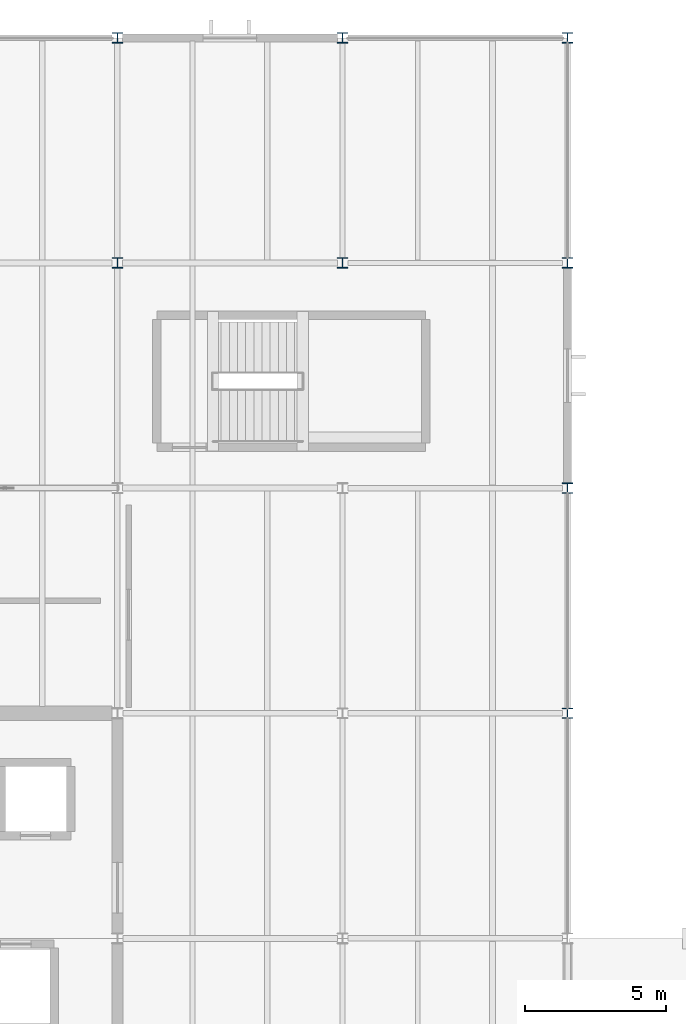
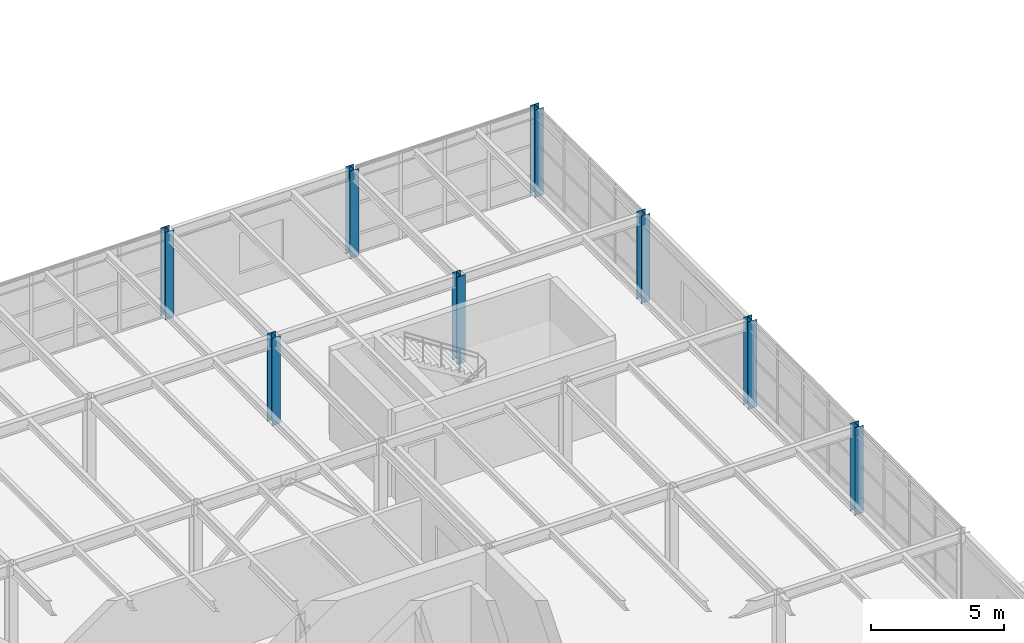
# One storey, part 4 of 50: 8 columns.
"""IFC4 building model written with IfcOpenShell, lengths in metres."""

import ifcopenshell
import ifcopenshell.guid

model = None  # the IFC model being written
_history = None  # IfcOwnerHistory: only IFC2X3 demands one
_inside = {}  # id of a spatial element -> (the spatial element, [elements in it])
_under = {}  # id of a project, library or spatial element -> (it, [spatial elements below it])
_declared = {}  # id of a project -> (the project, [libraries it declares])
_typed = {}  # id of a type object -> (the type object, [elements of that type])
_made_of = {}  # id of a material, layer set ... -> (it, [elements and type objects made of it])


def new_model(schema):
    """Start an empty IFC model of exactly this schema.

    Asked for "IFC4X3", IfcOpenShell would pick the latest addendum, in which some entities
    have other attributes; the version numbers below select the first issue.
    IFC2X3 requires an IfcOwnerHistory on every rooted entity: one is made here for all.
    """
    global model, _history
    if schema == "IFC4X3":
        model = ifcopenshell.file(schema_version=(4, 3, 0, 0))
    else:
        model = ifcopenshell.file(schema=schema)
    _inside.clear()
    _under.clear()
    _declared.clear()
    _typed.clear()
    _made_of.clear()
    _history = None
    if model.schema == "IFC2X3":
        org = make("IfcOrganization", Name="unknown")
        user = make(
            "IfcPersonAndOrganization",
            ThePerson=make("IfcPerson", FamilyName="unknown"),
            TheOrganization=org,
        )
        app = make(
            "IfcApplication",
            ApplicationDeveloper=org,
            Version="unknown",
            ApplicationFullName="unknown",
            ApplicationIdentifier="unknown",
        )
        _history = make(
            "IfcOwnerHistory",
            OwningUser=user,
            OwningApplication=app,
            ChangeAction="ADDED",
            CreationDate=0,
        )
    return model


def make(cls, **values):
    """One entity of the class cls with the attributes given. An attribute that is None is left unset."""
    return model.create_entity(
        cls, **{name: value for name, value in values.items() if value is not None}
    )


def rooted(cls, **values):
    """An entity with a GlobalId (a new one), such as an element, a storey or a relation."""
    return make(cls, GlobalId=ifcopenshell.guid.new(), OwnerHistory=_history, **values)


def si_unit(unit_type, name, prefix=None):
    """IfcSIUnit, for example si_unit("LENGTHUNIT", "METRE", prefix="MILLI")."""
    return make("IfcSIUnit", UnitType=unit_type, Prefix=prefix, Name=name)


def assignment(units):
    """IfcUnitAssignment: the units of a project."""
    return None if units is None else make("IfcUnitAssignment", Units=units)


def point(xyz):
    """IfcCartesianPoint."""
    return None if xyz is None else make("IfcCartesianPoint", Coordinates=xyz)


def direction(xyz):
    """IfcDirection."""
    return None if xyz is None else make("IfcDirection", DirectionRatios=xyz)


def frame(location, z_axis=None, x_axis=None):
    """IfcAxis2Placement3D, a coordinate frame: its origin and axes. An axis left out is left unset."""
    return make(
        "IfcAxis2Placement3D",
        Location=point(location),
        Axis=direction(z_axis),
        RefDirection=direction(x_axis),
    )


def frame_2d(location, x_axis=None):
    """IfcAxis2Placement2D, a coordinate frame in the plane: its origin and x axis."""
    return make(
        "IfcAxis2Placement2D", Location=point(location), RefDirection=direction(x_axis)
    )


def origin():
    """The frame at (0, 0, 0) with its axes left unset."""
    return frame((0.0, 0.0, 0.0))


def origin_2d():
    """The frame at (0, 0) in the plane with its x axis left unset."""
    return frame_2d((0.0, 0.0))


def place(relative_to, where):
    """IfcLocalPlacement: puts the frame where relative to a parent placement (None: the world)."""
    return make(
        "IfcLocalPlacement", PlacementRelTo=relative_to, RelativePlacement=where
    )


def context(
    kind, dimensions, precision=None, world=None, true_north=None, identifier=None
):
    """IfcGeometricRepresentationContext, for example the 3D "Model" context."""
    return make(
        "IfcGeometricRepresentationContext",
        ContextIdentifier=identifier,
        ContextType=kind,
        CoordinateSpaceDimension=dimensions,
        Precision=precision,
        WorldCoordinateSystem=world,
        TrueNorth=true_north,
    )


def subcontext(parent, identifier, kind, view, scale=None):
    """IfcGeometricRepresentationSubContext, for example "Body" below "Model"."""
    return make(
        "IfcGeometricRepresentationSubContext",
        ContextIdentifier=identifier,
        ContextType=kind,
        ParentContext=parent,
        TargetScale=scale,
        TargetView=view,
    )


def project(units=None, contexts=None):
    """IfcProject with its units and contexts."""
    return rooted(
        "IfcProject",
        Name="project",
        RepresentationContexts=contexts,
        UnitsInContext=assignment(units),
    )


def spatial(cls, under=None, at=None, **own):
    """A site, building, storey or space (cls), placed at a placement, below another one or the project."""
    s = rooted(cls, ObjectPlacement=at, **own)
    if under is not None:
        _under.setdefault(under.id(), (under, []))[1].append(s)
    return s


def profile(cls, at=None, kind="AREA", **sizes):
    """A parametric profile (cls). Its sizes go by their IFC names, for example OverallWidth=200.0."""
    return make(cls, ProfileType=kind, Position=at, **sizes)


def i_section(**sizes):
    """IfcIShapeProfileDef."""
    return profile("IfcIShapeProfileDef", **sizes)


def extrude(swept, where, along, depth):
    """IfcExtrudedAreaSolid: the profile swept, set in the frame where, extruded along a direction by depth."""
    return make(
        "IfcExtrudedAreaSolid",
        SweptArea=swept,
        Position=where,
        ExtrudedDirection=direction(along),
        Depth=depth,
    )


def shape(context_of_items, identifier, shape_type, items):
    """IfcShapeRepresentation: the items that make up one representation, for example the "Body"."""
    return make(
        "IfcShapeRepresentation",
        ContextOfItems=context_of_items,
        RepresentationIdentifier=identifier,
        RepresentationType=shape_type,
        Items=items,
    )


def material(Name=None, Category=None):
    """IfcMaterial."""
    return make("IfcMaterial", Name=Name, Category=Category)


def material_profile(
    of_material, cross_section, Name=None, Category=None, Priority=None
):
    """IfcMaterialProfile: a cross section and its material."""
    return make(
        "IfcMaterialProfile",
        Name=Name,
        Material=of_material,
        Profile=cross_section,
        Priority=Priority,
        Category=Category,
    )


def profile_set(profiles, Name=None, composite=None):
    """IfcMaterialProfileSet."""
    return make(
        "IfcMaterialProfileSet",
        Name=Name,
        MaterialProfiles=profiles,
        CompositeProfile=composite,
    )


def made_of(thing, what):
    """Note that an element or type object is made of a material, layer set ...; save() writes the relation."""
    if what is not None:
        _made_of.setdefault(what.id(), (what, []))[1].append(thing)
    return thing


def type_object(cls, material=None, **own):
    """A type object (cls), such as IfcWallType, which elements share."""
    return made_of(rooted(cls, **own), material)


def element(
    cls,
    number,
    at=None,
    inside=None,
    cuts=None,
    type_object=None,
    material=None,
    context=None,
    identifier="Body",
    shape_type=None,
    held_by="IfcProductDefinitionShape",
    body=None,
    shapes=None,
    **own,
):
    """One element of the class cls, such as IfcWall. Its Tag is "e" and its number.

    at: its placement. inside: the storey or other place that contains it. cuts: it is an
    opening in that element (IfcRelVoidsElement). A single representation is given by context,
    identifier, shape_type and body (its items); several are given by shapes. held_by: the class
    of the entity that holds the representations. save() writes the other relations.
    """
    e = rooted(cls, Tag="e%d" % number, ObjectPlacement=at, **own)
    if body is not None:
        shapes = [shape(context, identifier, shape_type, body)]
    if shapes is not None:
        e.Representation = make(held_by, Representations=shapes)
    if inside is not None:
        _inside.setdefault(inside.id(), (inside, []))[1].append(e)
    if cuts is not None:
        rooted(
            "IfcRelVoidsElement", RelatingBuildingElement=cuts, RelatedOpeningElement=e
        )
    if type_object is not None:
        _typed.setdefault(type_object.id(), (type_object, []))[1].append(e)
    return made_of(e, material)


def aggregate(whole, parts):
    """IfcRelAggregates: a whole, such as a stair, and the parts it consists of."""
    return rooted("IfcRelAggregates", RelatingObject=whole, RelatedObjects=parts)


def save(model, path):
    """Write the relations noted so far, then the file.

    IfcRelAggregates (storeys below a building ...), IfcRelContainedInSpatialStructure (elements
    in a storey), IfcRelDefinesByType, IfcRelAssociatesMaterial and IfcRelDeclares: one each for
    every whole, place, type object, material and project.
    """
    for whole, parts in _under.values():
        aggregate(whole, parts)
    for where, things in _inside.values():
        rooted(
            "IfcRelContainedInSpatialStructure",
            RelatedElements=things,
            RelatingStructure=where,
        )
    for kind, things in _typed.values():
        rooted("IfcRelDefinesByType", RelatedObjects=things, RelatingType=kind)
    for what, things in _made_of.values():
        rooted("IfcRelAssociatesMaterial", RelatedObjects=things, RelatingMaterial=what)
    for by, libraries in _declared.values():
        rooted("IfcRelDeclares", RelatingContext=by, RelatedDefinitions=libraries)
    model.write(path)


model = new_model("IFC4")

# Units and contexts
model_context = context("Model", 3, precision=1e-05, world=origin(), true_north=direction((0.0, 1.0)))
body_context = subcontext(model_context, "Body", "Model", "MODEL_VIEW")
ifc_project = project(units=[si_unit("LENGTHUNIT", "METRE"), si_unit("AREAUNIT", "SQUARE_METRE"), si_unit("VOLUMEUNIT", "CUBIC_METRE"), si_unit("PLANEANGLEUNIT", "RADIAN"), si_unit("MASSUNIT", "GRAM", prefix="KILO")], contexts=[model_context])

# Site, building, storey
site_placement = place(None, origin())
site = spatial("IfcSite", under=ifc_project, at=site_placement, CompositionType="ELEMENT")
building_placement = place(site_placement, origin())
building = spatial("IfcBuilding", under=site, at=building_placement, Name="Varnela Railside Interchange", CompositionType="ELEMENT")
storey_placement = place(building_placement, frame((0.0, 0.0, 15.39990234375)))
storey = spatial("IfcBuildingStorey", under=building, at=storey_placement, Name="L03", CompositionType="ELEMENT", Elevation=15.39990234375)

# Columns
ifc_material = material(Name="Steel AR 350 (350 MPa)", Category="steel")
ifc_material_profile = material_profile(ifc_material, i_section(OverallWidth=0.373046875, OverallDepth=0.367919921875, WebThickness=0.014892578125, FlangeThickness=0.02392578125, at=origin_2d()), Name="W360x179")
ifc_profile_set = profile_set([ifc_material_profile], Name="Steel AR 350 (350 MPa)")
column_type = type_object("IfcColumnType", Name="Superstructure Steel Col C-18", PredefinedType="COLUMN", material=ifc_profile_set)
for number, where, z_axis, x_axis, name in (
    (1, (36.0, 86.0, 0.0), (0.0, 0.0, 1.0), (1.0, 0.0, 0.0), "Column C-18 (L03) (CL-0885)"),
    (2, (36.0, 94.0, 0.0), (0.0, 0.0, 1.0), (1.0, 0.0, 0.0), "Column C-18 (L03) (CL-0886)"),
    (3, (44.0, 86.0, 0.0), (0.0, 0.0, 1.0), (1.0, 0.0, 0.0), "Column C-18 (L03) (CL-0893)"),
    (4, (44.0, 94.0, 0.0), (0.0, 0.0, 1.0), (1.0, 0.0, 0.0), "Column C-18 (L03) (CL-0894)"),
    (5, (52.0, 70.0, 0.0), (0.0, 0.0, 1.0), (1.0, 0.0, 0.0), "Column C-18 (L03) (CL-0899)"),
    (6, (52.0, 78.0, 0.0), (0.0, 0.0, 1.0), (1.0, 0.0, 0.0), "Column C-18 (L03) (CL-0900)"),
    (7, (52.0, 86.0, 0.0), (0.0, 0.0, 1.0), (1.0, 0.0, 0.0), "Column C-18 (L03) (CL-0901)"),
    (8, (52.0, 94.0, 0.0), (0.0, 0.0, 1.0), (1.0, 0.0, 0.0), "Column C-18 (L03) (CL-0902)"),
):
    element("IfcColumn", number, at=place(storey_placement, frame(where, z_axis=z_axis, x_axis=x_axis)), inside=storey, type_object=column_type, Name=name, PredefinedType="COLUMN", context=body_context, shape_type="SweptSolid", body=[
        extrude(i_section(OverallWidth=0.373046875, OverallDepth=0.367919921875, WebThickness=0.014892578125, FlangeThickness=0.02392578125, at=origin_2d()), origin(), (0.0, 0.0, 1.0), 4.0),
    ])

save(model, "model.ifc")
